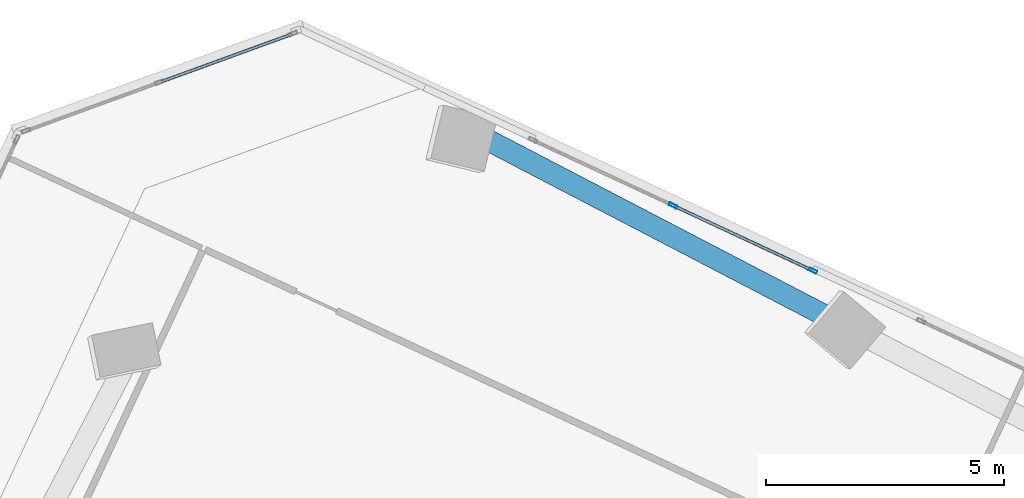
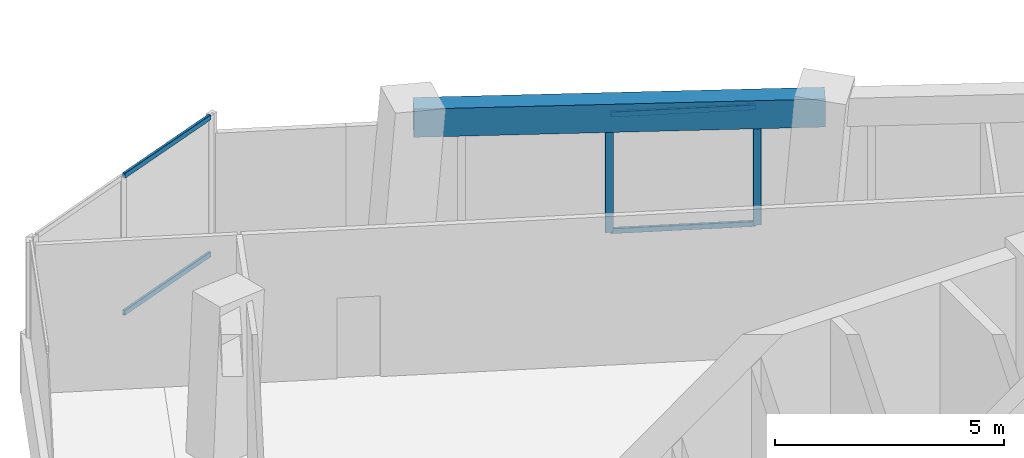
# One storey, part 12 of 21: 6 members, 1 beam, 2 elements without a shape of their own.
"""IFC4 building model written with IfcOpenShell, lengths in metres."""

from ifc_helpers import new_model, si_unit, direction, frame, origin, origin_2d, place, context, subcontext, project, spatial, rectangle, hollow_rectangle, extrude, source, transform, mapped, material, material_profile, profile_set, type_object, element, aggregate, save


model = new_model("IFC4")

# Units and contexts
model_context = context("Model", 3, precision=1e-05, world=origin(), true_north=direction((0.0, 1.0)))
body_context = subcontext(model_context, "Body", "Model", "MODEL_VIEW")
ifc_project = project(units=[si_unit("LENGTHUNIT", "METRE"), si_unit("AREAUNIT", "SQUARE_METRE"), si_unit("VOLUMEUNIT", "CUBIC_METRE"), si_unit("PLANEANGLEUNIT", "RADIAN"), si_unit("MASSUNIT", "GRAM", prefix="KILO")], contexts=[model_context])

# Site, building, storey
site_placement = place(None, origin())
site = spatial("IfcSite", under=ifc_project, at=site_placement, CompositionType="ELEMENT")
building_placement = place(site_placement, origin())
building = spatial("IfcBuilding", under=site, at=building_placement, Name="Torre Montelarca", CompositionType="ELEMENT")
storey_placement = place(building_placement, frame((0.0, 0.0, 162.39990234375)))
storey = spatial("IfcBuildingStorey", under=building, at=storey_placement, Name="L36", CompositionType="ELEMENT", Elevation=162.39990234375)

# Beam
ifc_material_1 = material(Name="Concrete C55/67", Category="concrete")
ifc_material_profile_1 = material_profile(ifc_material_1, rectangle(XDim=0.449951171875, YDim=0.75, at=origin_2d()), Name="RCB450X750", Category="concrete")
ifc_profile_set_1 = profile_set([ifc_material_profile_1], Name="Concrete C55/67")
beam_type = type_object("IfcBeamType", Name="BM-SP-RC750-EXT", PredefinedType="SPANDREL", material=ifc_profile_set_1)
shared_shape_1 = source(origin(), body_context, "Body", "SweptSolid", [
    extrude(rectangle(XDim=0.449951171875, YDim=0.75, at=origin_2d()), origin(), (0.0, 0.0, 1.0), 9.000244140625),
])
beam_placement = place(storey_placement, frame((17.407958984375, 51.210205078125, 3.585205078125), z_axis=(0.886999966957, -0.461769486452, 0.0), x_axis=(0.461769486452, 0.886999966957, 0.0)))
element("IfcBeam", 1, at=beam_placement, inside=storey, type_object=beam_type, Name="L36 Grid Girder X 9.0-18.0 at Y=47.1", PredefinedType="SPANDREL", context=body_context, shape_type="MappedRepresentation", body=[
    mapped(shared_shape_1, transform((0.0, 0.0, 0.0), scale=1.0)),
])

# Curtain wall, members
ifc_material_2 = material(Name="Insulated low-E laminated glass", Category="glass")
curtain_wall_type = type_object("IfcCurtainWallType", Name="CW-SYS-Z2", PredefinedType="USERDEFINED", material=ifc_material_2)
curtain_wall_1_placement = place(storey_placement, origin())
curtain_wall_1 = element("IfcCurtainWall", 2, at=curtain_wall_1_placement, inside=storey, type_object=curtain_wall_type, Name="L36 Curtain Wall Run CW-T3-L36-E09-B1", ObjectType="UNITISED GLAZING", PredefinedType="USERDEFINED")
ifc_material_3 = material(Name="Anodised aluminium AA 6063-T6", Category="aluminium")
ifc_material_profile_2 = material_profile(ifc_material_3, hollow_rectangle(XDim=0.06494140625, YDim=0.139892578125, WallThickness=0.00390625, InnerFilletRadius=0.00390625, OuterFilletRadius=0.008056640625, at=origin_2d()), Name="ALU65X140X4", Category="aluminium")
ifc_profile_set_2 = profile_set([ifc_material_profile_2], Name="Anodised aluminium AA 6063-T6")
member_type_1 = type_object("IfcMemberType", Name="CWT-ALU140", PredefinedType="USERDEFINED", material=ifc_profile_set_2)
shared_shape_2 = source(origin(), body_context, "Body", "SweptSolid", [
    extrude(hollow_rectangle(XDim=0.06494140625, YDim=0.139892578125, WallThickness=0.00390625, InnerFilletRadius=0.00390625, OuterFilletRadius=0.008056640625, at=origin_2d()), origin(), (0.0, 0.0, 1.0), 2.91845703125),
])
member_1_placement = place(storey_placement, frame((13.49169921875, 53.327392578125, 0.03271484375), z_axis=(-0.939705462209, -0.341984859745, 0.0), x_axis=(0.341984859745, -0.939705462209, 0.0)))
member_1 = element("IfcMember", 3, at=member_1_placement, type_object=member_type_1, Name="CW transom 1.1", ObjectType="TRANSOM", PredefinedType="USERDEFINED", context=body_context, shape_type="MappedRepresentation", body=[
    mapped(shared_shape_2, transform((0.0, 0.0, 0.0), scale=1.0)),
])
member_2_placement = place(storey_placement, frame((13.49169921875, 53.327392578125, 3.6875), z_axis=(-0.939705462209, -0.341984859745, 0.0), x_axis=(0.341984859745, -0.939705462209, 0.0)))
member_2 = element("IfcMember", 4, at=member_2_placement, type_object=member_type_1, Name="CW transom 1.2", ObjectType="TRANSOM", PredefinedType="USERDEFINED", context=body_context, shape_type="MappedRepresentation", body=[
    mapped(shared_shape_2, transform((0.0, 0.0, 0.0), scale=1.0)),
])
aggregate(curtain_wall_1, [member_1, member_2])

curtain_wall_2_placement = place(storey_placement, origin())
curtain_wall_2 = element("IfcCurtainWall", 5, at=curtain_wall_2_placement, inside=storey, type_object=curtain_wall_type, Name="L36 Curtain Wall Run CW-T3-L36-E08-B2", ObjectType="UNITISED GLAZING", PredefinedType="USERDEFINED")
ifc_material_profile_3 = material_profile(ifc_material_3, hollow_rectangle(XDim=0.06494140625, YDim=0.179931640625, WallThickness=0.00390625, InnerFilletRadius=0.00390625, OuterFilletRadius=0.008056640625, at=origin_2d()), Name="ALU65X180X4", Category="aluminium")
ifc_profile_set_3 = profile_set([ifc_material_profile_3], Name="Anodised aluminium AA 6063-T6")
member_type_2 = type_object("IfcMemberType", Name="CWM-ALU180", PredefinedType="MULLION", material=ifc_profile_set_3)
shared_shape_3 = source(origin(), body_context, "Body", "SweptSolid", [
    extrude(hollow_rectangle(XDim=0.06494140625, YDim=0.179931640625, WallThickness=0.00390625, InnerFilletRadius=0.00390625, OuterFilletRadius=0.008056640625, at=origin_2d()), origin(), (0.0, 0.0, 1.0), 3.175048828125),
])
member_3_placement = place(storey_placement, frame((24.43408203125, 48.363037109375, 0.0), z_axis=(0.0, 0.0, 1.0), x_axis=(-0.422626295429, -0.906304040823, 0.0)))
member_3 = element("IfcMember", 6, at=member_3_placement, type_object=member_type_2, Name="CW mullion 1", PredefinedType="MULLION", context=body_context, shape_type="MappedRepresentation", body=[
    mapped(shared_shape_3, transform((0.0, 0.0, 0.0), scale=1.0)),
])
member_4_placement = place(storey_placement, frame((21.49609375, 49.733154296875, 0.0), z_axis=(0.0, 0.0, 1.0), x_axis=(-0.422626295429, -0.906304040823, 0.0)))
member_4 = element("IfcMember", 7, at=member_4_placement, type_object=member_type_2, Name="CW mullion 2", PredefinedType="MULLION", context=body_context, shape_type="MappedRepresentation", body=[
    mapped(shared_shape_3, transform((0.0, 0.0, 0.0), scale=1.0)),
])
shared_shape_4 = source(origin(), body_context, "Body", "SweptSolid", [
    extrude(hollow_rectangle(XDim=0.06494140625, YDim=0.139892578125, WallThickness=0.00390625, InnerFilletRadius=0.00390625, OuterFilletRadius=0.008056640625, at=origin_2d()), origin(), (0.0, 0.0, 1.0), 3.1767578125),
])
member_5_placement = place(storey_placement, frame((24.404541015625, 48.376708984375, 0.03271484375), z_axis=(-0.906283243001, 0.422670892606, 0.0), x_axis=(-0.422670892606, -0.906283243001, 0.0)))
member_5 = element("IfcMember", 8, at=member_5_placement, type_object=member_type_1, Name="CW transom 1.1", ObjectType="TRANSOM", PredefinedType="USERDEFINED", context=body_context, shape_type="MappedRepresentation", body=[
    mapped(shared_shape_4, transform((0.0, 0.0, 0.0), scale=1.0)),
])
member_6_placement = place(storey_placement, frame((24.404541015625, 48.376708984375, 3.142578125), z_axis=(-0.906283243001, 0.422670892606, 0.0), x_axis=(-0.422670892606, -0.906283243001, 0.0)))
member_6 = element("IfcMember", 9, at=member_6_placement, type_object=member_type_1, Name="CW transom 1.2", ObjectType="TRANSOM", PredefinedType="USERDEFINED", context=body_context, shape_type="MappedRepresentation", body=[
    mapped(shared_shape_4, transform((0.0, 0.0, 0.0), scale=1.0)),
])
aggregate(curtain_wall_2, [member_3, member_4, member_5, member_6])

save(model, "model.ifc")
